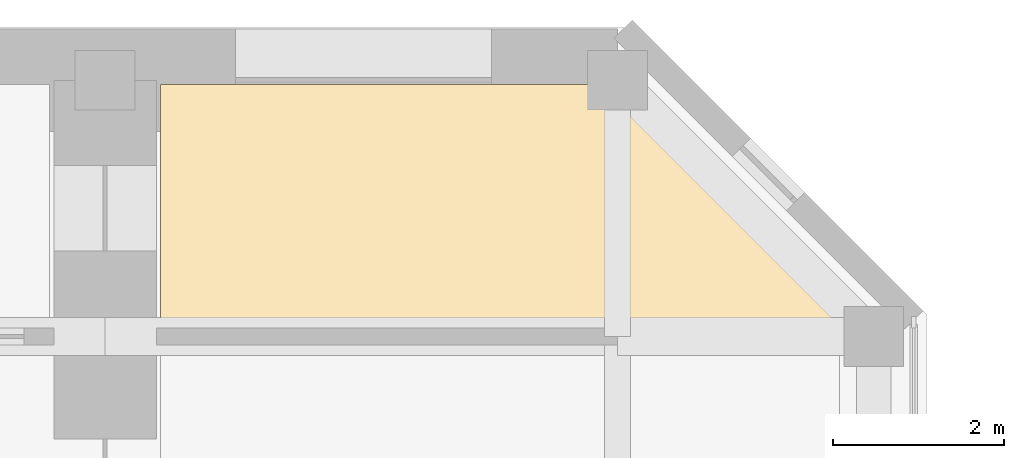
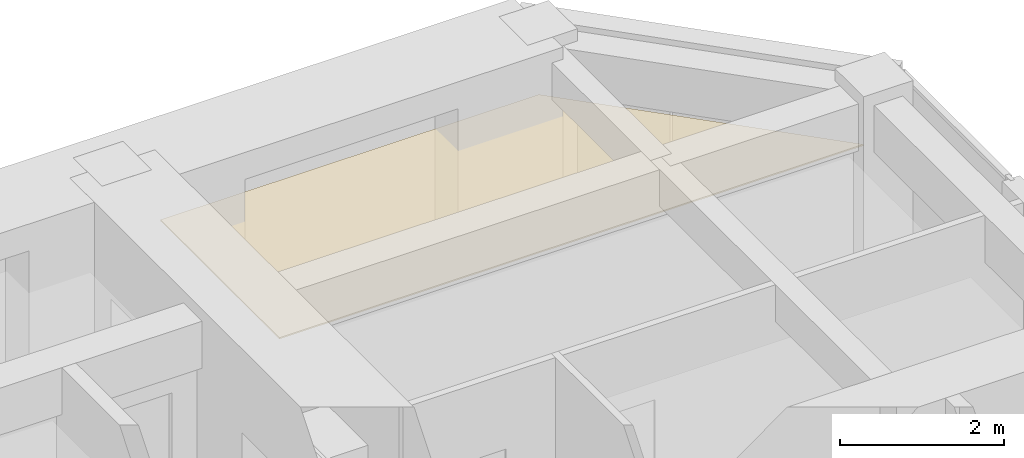
# One storey, part 14 of 14: 1 covering.
"""IFC4 building model written with IfcOpenShell, lengths in metres."""

import ifcopenshell
import ifcopenshell.guid

model = None  # the IFC model being written
_history = None  # IfcOwnerHistory: only IFC2X3 demands one
_inside = {}  # id of a spatial element -> (the spatial element, [elements in it])
_under = {}  # id of a project, library or spatial element -> (it, [spatial elements below it])
_declared = {}  # id of a project -> (the project, [libraries it declares])
_typed = {}  # id of a type object -> (the type object, [elements of that type])
_made_of = {}  # id of a material, layer set ... -> (it, [elements and type objects made of it])


def new_model(schema):
    """Start an empty IFC model of exactly this schema.

    Asked for "IFC4X3", IfcOpenShell would pick the latest addendum, in which some entities
    have other attributes; the version numbers below select the first issue.
    IFC2X3 requires an IfcOwnerHistory on every rooted entity: one is made here for all.
    """
    global model, _history
    if schema == "IFC4X3":
        model = ifcopenshell.file(schema_version=(4, 3, 0, 0))
    else:
        model = ifcopenshell.file(schema=schema)
    _inside.clear()
    _under.clear()
    _declared.clear()
    _typed.clear()
    _made_of.clear()
    _history = None
    if model.schema == "IFC2X3":
        org = make("IfcOrganization", Name="unknown")
        user = make(
            "IfcPersonAndOrganization",
            ThePerson=make("IfcPerson", FamilyName="unknown"),
            TheOrganization=org,
        )
        app = make(
            "IfcApplication",
            ApplicationDeveloper=org,
            Version="unknown",
            ApplicationFullName="unknown",
            ApplicationIdentifier="unknown",
        )
        _history = make(
            "IfcOwnerHistory",
            OwningUser=user,
            OwningApplication=app,
            ChangeAction="ADDED",
            CreationDate=0,
        )
    return model


def make(cls, **values):
    """One entity of the class cls with the attributes given. An attribute that is None is left unset."""
    return model.create_entity(
        cls, **{name: value for name, value in values.items() if value is not None}
    )


def rooted(cls, **values):
    """An entity with a GlobalId (a new one), such as an element, a storey or a relation."""
    return make(cls, GlobalId=ifcopenshell.guid.new(), OwnerHistory=_history, **values)


def si_unit(unit_type, name, prefix=None):
    """IfcSIUnit, for example si_unit("LENGTHUNIT", "METRE", prefix="MILLI")."""
    return make("IfcSIUnit", UnitType=unit_type, Prefix=prefix, Name=name)


def assignment(units):
    """IfcUnitAssignment: the units of a project."""
    return None if units is None else make("IfcUnitAssignment", Units=units)


def point(xyz):
    """IfcCartesianPoint."""
    return None if xyz is None else make("IfcCartesianPoint", Coordinates=xyz)


def direction(xyz):
    """IfcDirection."""
    return None if xyz is None else make("IfcDirection", DirectionRatios=xyz)


def frame(location, z_axis=None, x_axis=None):
    """IfcAxis2Placement3D, a coordinate frame: its origin and axes. An axis left out is left unset."""
    return make(
        "IfcAxis2Placement3D",
        Location=point(location),
        Axis=direction(z_axis),
        RefDirection=direction(x_axis),
    )


def origin():
    """The frame at (0, 0, 0) with its axes left unset."""
    return frame((0.0, 0.0, 0.0))


def place(relative_to, where):
    """IfcLocalPlacement: puts the frame where relative to a parent placement (None: the world)."""
    return make(
        "IfcLocalPlacement", PlacementRelTo=relative_to, RelativePlacement=where
    )


def context(
    kind, dimensions, precision=None, world=None, true_north=None, identifier=None
):
    """IfcGeometricRepresentationContext, for example the 3D "Model" context."""
    return make(
        "IfcGeometricRepresentationContext",
        ContextIdentifier=identifier,
        ContextType=kind,
        CoordinateSpaceDimension=dimensions,
        Precision=precision,
        WorldCoordinateSystem=world,
        TrueNorth=true_north,
    )


def subcontext(parent, identifier, kind, view, scale=None):
    """IfcGeometricRepresentationSubContext, for example "Body" below "Model"."""
    return make(
        "IfcGeometricRepresentationSubContext",
        ContextIdentifier=identifier,
        ContextType=kind,
        ParentContext=parent,
        TargetScale=scale,
        TargetView=view,
    )


def project(units=None, contexts=None):
    """IfcProject with its units and contexts."""
    return rooted(
        "IfcProject",
        Name="project",
        RepresentationContexts=contexts,
        UnitsInContext=assignment(units),
    )


def spatial(cls, under=None, at=None, **own):
    """A site, building, storey or space (cls), placed at a placement, below another one or the project."""
    s = rooted(cls, ObjectPlacement=at, **own)
    if under is not None:
        _under.setdefault(under.id(), (under, []))[1].append(s)
    return s


def polyline(points):
    """IfcPolyline through the points."""
    return make("IfcPolyline", Points=[point(p) for p in points])


def outline(outer, holes=None, kind="AREA"):
    """IfcArbitraryClosedProfileDef: a profile drawn as a closed curve; with holes, ...WithVoids."""
    if holes is None:
        return make("IfcArbitraryClosedProfileDef", ProfileType=kind, OuterCurve=outer)
    return make(
        "IfcArbitraryProfileDefWithVoids",
        ProfileType=kind,
        OuterCurve=outer,
        InnerCurves=holes,
    )


def extrude(swept, where, along, depth):
    """IfcExtrudedAreaSolid: the profile swept, set in the frame where, extruded along a direction by depth."""
    return make(
        "IfcExtrudedAreaSolid",
        SweptArea=swept,
        Position=where,
        ExtrudedDirection=direction(along),
        Depth=depth,
    )


def shape(context_of_items, identifier, shape_type, items):
    """IfcShapeRepresentation: the items that make up one representation, for example the "Body"."""
    return make(
        "IfcShapeRepresentation",
        ContextOfItems=context_of_items,
        RepresentationIdentifier=identifier,
        RepresentationType=shape_type,
        Items=items,
    )


def material(Name=None, Category=None):
    """IfcMaterial."""
    return make("IfcMaterial", Name=Name, Category=Category)


def layer(
    of_material, thickness, ventilated=None, Name=None, Category=None, Priority=None
):
    """IfcMaterialLayer: one layer of a wall or slab, of a material (None: an air gap)."""
    return make(
        "IfcMaterialLayer",
        Material=of_material,
        LayerThickness=thickness,
        IsVentilated=ventilated,
        Name=Name,
        Category=Category,
        Priority=Priority,
    )


def layer_set(layers, Name=None):
    """IfcMaterialLayerSet."""
    return make("IfcMaterialLayerSet", MaterialLayers=layers, LayerSetName=Name)


def made_of(thing, what):
    """Note that an element or type object is made of a material, layer set ...; save() writes the relation."""
    if what is not None:
        _made_of.setdefault(what.id(), (what, []))[1].append(thing)
    return thing


def type_object(cls, material=None, **own):
    """A type object (cls), such as IfcWallType, which elements share."""
    return made_of(rooted(cls, **own), material)


def element(
    cls,
    number,
    at=None,
    inside=None,
    cuts=None,
    type_object=None,
    material=None,
    context=None,
    identifier="Body",
    shape_type=None,
    held_by="IfcProductDefinitionShape",
    body=None,
    shapes=None,
    **own,
):
    """One element of the class cls, such as IfcWall. Its Tag is "e" and its number.

    at: its placement. inside: the storey or other place that contains it. cuts: it is an
    opening in that element (IfcRelVoidsElement). A single representation is given by context,
    identifier, shape_type and body (its items); several are given by shapes. held_by: the class
    of the entity that holds the representations. save() writes the other relations.
    """
    e = rooted(cls, Tag="e%d" % number, ObjectPlacement=at, **own)
    if body is not None:
        shapes = [shape(context, identifier, shape_type, body)]
    if shapes is not None:
        e.Representation = make(held_by, Representations=shapes)
    if inside is not None:
        _inside.setdefault(inside.id(), (inside, []))[1].append(e)
    if cuts is not None:
        rooted(
            "IfcRelVoidsElement", RelatingBuildingElement=cuts, RelatedOpeningElement=e
        )
    if type_object is not None:
        _typed.setdefault(type_object.id(), (type_object, []))[1].append(e)
    return made_of(e, material)


def aggregate(whole, parts):
    """IfcRelAggregates: a whole, such as a stair, and the parts it consists of."""
    return rooted("IfcRelAggregates", RelatingObject=whole, RelatedObjects=parts)


def save(model, path):
    """Write the relations noted so far, then the file.

    IfcRelAggregates (storeys below a building ...), IfcRelContainedInSpatialStructure (elements
    in a storey), IfcRelDefinesByType, IfcRelAssociatesMaterial and IfcRelDeclares: one each for
    every whole, place, type object, material and project.
    """
    for whole, parts in _under.values():
        aggregate(whole, parts)
    for where, things in _inside.values():
        rooted(
            "IfcRelContainedInSpatialStructure",
            RelatedElements=things,
            RelatingStructure=where,
        )
    for kind, things in _typed.values():
        rooted("IfcRelDefinesByType", RelatedObjects=things, RelatingType=kind)
    for what, things in _made_of.values():
        rooted("IfcRelAssociatesMaterial", RelatedObjects=things, RelatingMaterial=what)
    for by, libraries in _declared.values():
        rooted("IfcRelDeclares", RelatingContext=by, RelatedDefinitions=libraries)
    model.write(path)


model = new_model("IFC4")

# Units and contexts
model_context = context("Model", 3, precision=1e-05, world=origin(), true_north=direction((0.0, 1.0)))
body_context = subcontext(model_context, "Body", "Model", "MODEL_VIEW")
ifc_project = project(units=[si_unit("LENGTHUNIT", "METRE"), si_unit("AREAUNIT", "SQUARE_METRE"), si_unit("VOLUMEUNIT", "CUBIC_METRE"), si_unit("PLANEANGLEUNIT", "RADIAN"), si_unit("MASSUNIT", "GRAM", prefix="KILO")], contexts=[model_context])

# Site, building, storey
site_placement = place(None, origin())
site = spatial("IfcSite", under=ifc_project, at=site_placement, CompositionType="ELEMENT")
building_placement = place(site_placement, origin())
building = spatial("IfcBuilding", under=site, at=building_placement, Name="Torre Cruceta", CompositionType="ELEMENT")
storey_placement = place(building_placement, frame((0.0, 0.0, 257.699951171875)))
storey = spatial("IfcBuildingStorey", under=building, at=storey_placement, Name="L66", CompositionType="ELEMENT", Elevation=257.699951171875)

# Covering
ifc_material = material(Name="Mineral fibre ceiling tile", Category="gypsum")
ifc_layer = layer(ifc_material, 0.02001953125)
ifc_layer_set = layer_set([ifc_layer], Name="Mineral fibre ceiling tile")
covering_type = type_object("IfcCoveringType", Name="SUSPENDED CEILING 20", PredefinedType="CEILING", material=ifc_layer_set)
covering_placement = place(storey_placement, frame((0.0, 0.0, 2.35009765625)))
element("IfcCovering", 1, at=covering_placement, inside=storey, type_object=covering_type, Name="Ceiling L66-028", PredefinedType="CEILING", context=body_context, shape_type="SweptSolid", body=[
    extrude(outline(polyline([(8.87939453125, 15.050048828125), (0.64990234375, 15.050048828125), (0.64990234375, 17.949951171875), (5.979248046875, 17.949951171875), (8.87939453125, 15.050048828125)])), origin(), (0.0, 0.0, 1.0), 0.02001953125),
])

save(model, "model.ifc")
